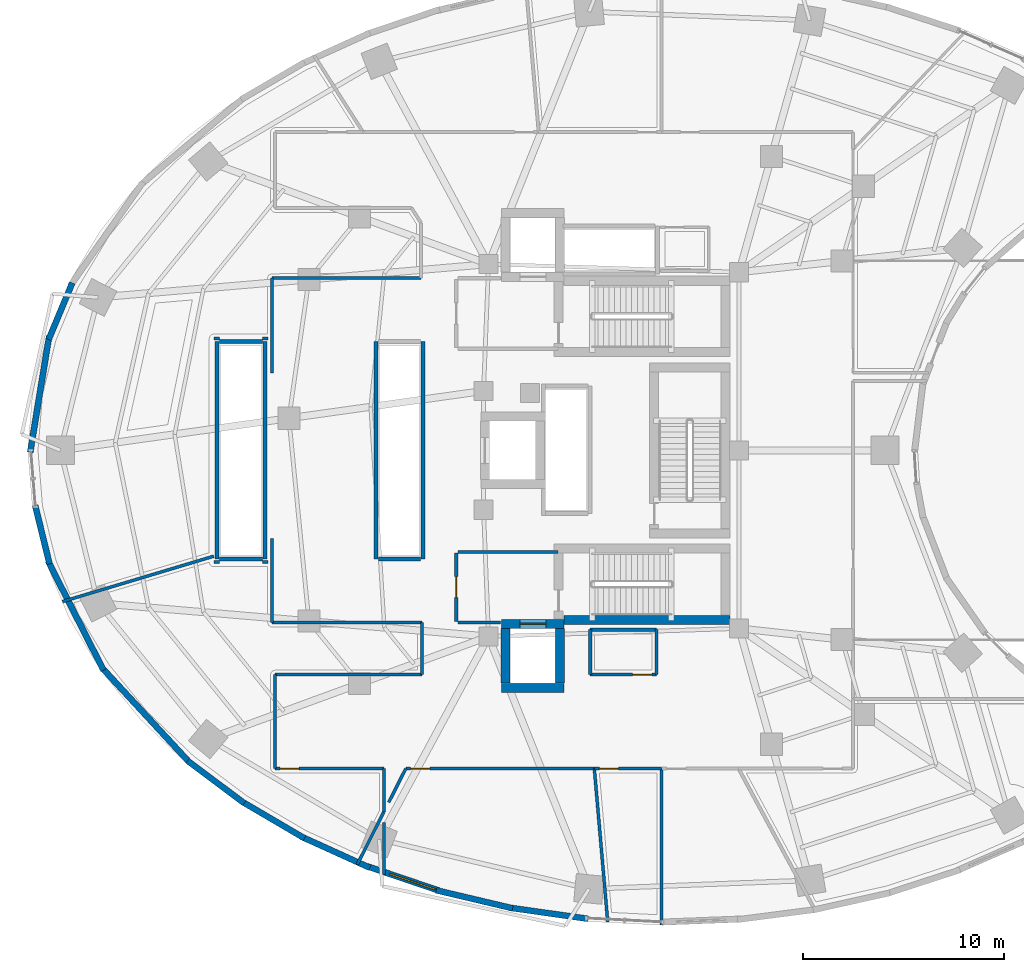
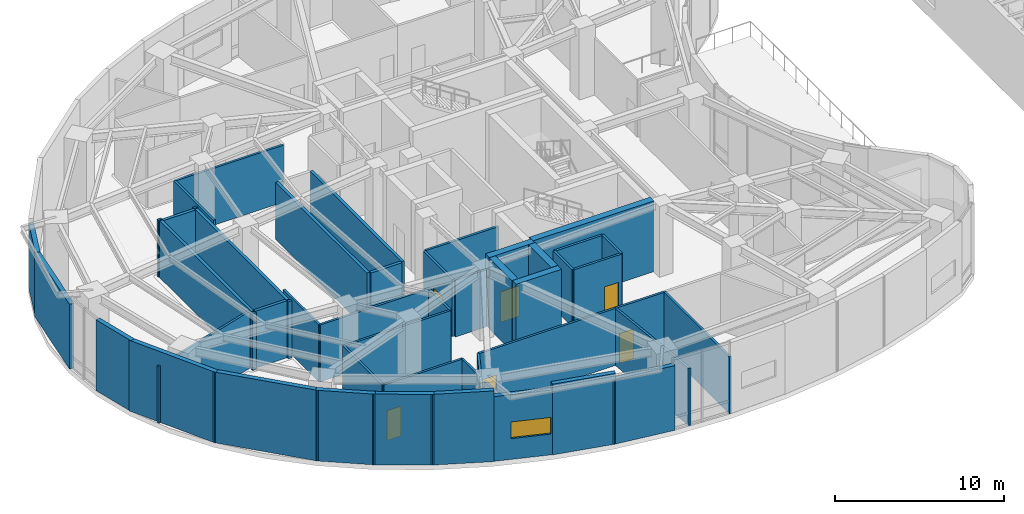
# One storey, part 12 of 19: 51 walls, 6 doors, 1 window, 7 openings.
"""IFC4 building model written with IfcOpenShell, lengths in metres."""

from ifc_helpers import new_model, si_unit, direction, frame, frame_2d, origin, place, context, subcontext, project, spatial, rectangle, extrude, material, layer, layer_set, type_object, element, fill, save


model = new_model("IFC4")

# Units and contexts
model_context = context("Model", 3, precision=1e-05, world=origin(), true_north=direction((0.0, 1.0)))
body_context = subcontext(model_context, "Body", "Model", "MODEL_VIEW")
ifc_project = project(units=[si_unit("LENGTHUNIT", "METRE"), si_unit("AREAUNIT", "SQUARE_METRE"), si_unit("VOLUMEUNIT", "CUBIC_METRE"), si_unit("PLANEANGLEUNIT", "RADIAN"), si_unit("MASSUNIT", "GRAM", prefix="KILO")], contexts=[model_context])

# Site, building, storey
site_placement = place(None, origin())
site = spatial("IfcSite", under=ifc_project, at=site_placement, CompositionType="ELEMENT")
building_placement = place(site_placement, origin())
building = spatial("IfcBuilding", under=site, at=building_placement, Name="Korentha Bioscience Tower", CompositionType="ELEMENT")
storey_placement = place(building_placement, frame((0.0, 0.0, 20.39990234375)))
storey = spatial("IfcBuildingStorey", under=building, at=storey_placement, Name="L04", CompositionType="ELEMENT", Elevation=20.39990234375)

# Wall, opening, door
ifc_material_1 = material(Name="Double-Stud Acoustic Gypsum", Category="gypsum")
ifc_layer_1 = layer(ifc_material_1, 0.14990234375, Name="Double-Stud Acoustic Gypsum")
ifc_layer_set_1 = layer_set([ifc_layer_1], Name="Double-Stud Acoustic Gypsum (IW-L150)")
wall_type_1 = type_object("IfcWallType", Name="Acoustic Laboratory Partition Wall 150", PredefinedType="PARTITIONING", material=ifc_layer_set_1)
wall_1_placement = place(storey_placement, frame((14.5, 11.18994140625, 0.0), z_axis=(0.0, 0.0, 1.0), x_axis=(1.0, 0.0, 0.0)))
wall_1 = element("IfcWall", 1, at=wall_1_placement, inside=storey, type_object=wall_type_1, Name="L04 Bioscience Reference Library 01 Entrance Wall", PredefinedType="PARTITIONING", context=body_context, shape_type="SweptSolid", body=[
    extrude(rectangle(XDim=5.39794921875, YDim=0.14990234375, at=frame_2d((2.698974609375, 0.0))), origin(), (0.0, 0.0, 1.0), 4.110107421875),
])
opening_1_placement = place(wall_1_placement, frame((0.239990234375, 0.0, 0.0)))
opening_1 = element("IfcOpeningElement", 2, at=opening_1_placement, cuts=wall_1, Name="Opening ID-10L", PredefinedType="OPENING", context=body_context, shape_type="SweptSolid", body=[
    extrude(rectangle(XDim=0.949951171875, YDim=2.14990234375, at=frame_2d((0.47509765625, 1.074951171875))), frame((0.0, 0.08984375, 0.0), z_axis=(0.0, -1.0, 0.0), x_axis=(1.0, 0.0, 0.0)), (0.0, 0.0, 1.0), 0.1796875),
])
ifc_material_2 = material(Name="Phenolic Laminate Timber Core", Category="wood")
door_type_1 = type_object("IfcDoorType", Name="Laboratory Single Leaf Door 950x2150 Left", OperationType="SINGLE_SWING_LEFT", PredefinedType="DOOR", material=ifc_material_2)
door_1_placement = place(opening_1_placement, origin())
door_1 = element("IfcDoor", 3, at=door_1_placement, inside=storey, type_object=door_type_1, Name="L04 Bioscience Reference Library 01 Door", OperationType="SINGLE_SWING_LEFT", OverallHeight=2.14990234375, OverallWidth=0.949951171875, PredefinedType="DOOR", context=body_context, shape_type="SweptSolid", body=[
    extrude(rectangle(XDim=0.949951171875, YDim=2.14990234375, at=frame_2d((0.47509765625, 1.074951171875))), frame((0.0, 0.02490234375, 0.0), z_axis=(0.0, -1.0, 0.0), x_axis=(1.0, 0.0, 0.0)), (0.0, 0.0, 1.0), 0.050048828125),
])
fill(opening_1, door_1)

wall_2_placement = place(storey_placement, frame((20.989501953125, 11.18994140625, 0.0), z_axis=(0.0, 0.0, 1.0), x_axis=(1.0, 0.0, 0.0)))
wall_2 = element("IfcWall", 4, at=wall_2_placement, inside=storey, type_object=wall_type_1, Name="L04 Courtyard Terrace Dining Cafe 02 Entrance Wall", PredefinedType="PARTITIONING", context=body_context, shape_type="SweptSolid", body=[
    extrude(rectangle(XDim=9.365234375, YDim=0.14990234375, at=frame_2d((4.6826171875, 0.0))), origin(), (0.0, 0.0, 1.0), 4.110107421875),
])
opening_2_placement = place(wall_2_placement, frame((0.239990234375, 0.0, 0.0)))
opening_2 = element("IfcOpeningElement", 5, at=opening_2_placement, cuts=wall_2, Name="Opening ID-10R", PredefinedType="OPENING", context=body_context, shape_type="SweptSolid", body=[
    extrude(rectangle(XDim=0.949951171875, YDim=2.14990234375, at=frame_2d((0.47509765625, 1.074951171875))), frame((0.0, 0.08984375, 0.0), z_axis=(0.0, -1.0, 0.0), x_axis=(1.0, 0.0, 0.0)), (0.0, 0.0, 1.0), 0.1796875),
])
door_type_2 = type_object("IfcDoorType", Name="Laboratory Single Leaf Door 950x2150 Right", OperationType="SINGLE_SWING_RIGHT", PredefinedType="DOOR", material=ifc_material_2)
door_2_placement = place(opening_2_placement, origin())
door_2 = element("IfcDoor", 6, at=door_2_placement, inside=storey, type_object=door_type_2, Name="L04 Courtyard Terrace Dining Cafe 02 Door", OperationType="SINGLE_SWING_RIGHT", OverallHeight=2.14990234375, OverallWidth=0.949951171875, PredefinedType="DOOR", context=body_context, shape_type="SweptSolid", body=[
    extrude(rectangle(XDim=0.949951171875, YDim=2.14990234375, at=frame_2d((0.47509765625, 1.074951171875))), frame((0.0, 0.02490234375, 0.0), z_axis=(0.0, -1.0, 0.0), x_axis=(1.0, 0.0, 0.0)), (0.0, 0.0, 1.0), 0.050048828125),
])
fill(opening_2, door_2)

wall_3_placement = place(storey_placement, frame((30.36474609375, 11.18994140625, 0.0), z_axis=(0.0, 0.0, 1.0), x_axis=(1.0, 0.0, 0.0)))
wall_3 = element("IfcWall", 7, at=wall_3_placement, inside=storey, type_object=wall_type_1, Name="L04 Catering Warming Kitchen 03 Entrance Wall", PredefinedType="PARTITIONING", context=body_context, shape_type="SweptSolid", body=[
    extrude(rectangle(XDim=3.333251953125, YDim=0.14990234375, at=frame_2d((1.66650390625, 0.0))), origin(), (0.0, 0.0, 1.0), 4.110107421875),
])
opening_3_placement = place(wall_3_placement, frame((0.239990234375, 0.0, 0.0)))
opening_3 = element("IfcOpeningElement", 8, at=opening_3_placement, cuts=wall_3, Name="Opening ID-10L", PredefinedType="OPENING", context=body_context, shape_type="SweptSolid", body=[
    extrude(rectangle(XDim=0.949951171875, YDim=2.14990234375, at=frame_2d((0.47509765625, 1.074951171875))), frame((0.0, 0.08984375, 0.0), z_axis=(0.0, -1.0, 0.0), x_axis=(1.0, 0.0, 0.0)), (0.0, 0.0, 1.0), 0.1796875),
])
door_3_placement = place(opening_3_placement, origin())
door_3 = element("IfcDoor", 9, at=door_3_placement, inside=storey, type_object=door_type_1, Name="L04 Catering Warming Kitchen 03 Door", OperationType="SINGLE_SWING_LEFT", OverallHeight=2.14990234375, OverallWidth=0.949951171875, PredefinedType="DOOR", context=body_context, shape_type="SweptSolid", body=[
    extrude(rectangle(XDim=0.949951171875, YDim=2.14990234375, at=frame_2d((0.47509765625, 1.074951171875))), frame((0.0, 0.02490234375, 0.0), z_axis=(0.0, -1.0, 0.0), x_axis=(1.0, 0.0, 0.0)), (0.0, 0.0, 1.0), 0.050048828125),
])
fill(opening_3, door_3)

# Walls
wall_4_placement = place(storey_placement, frame((3.9296875, 19.484375, 0.0), z_axis=(0.0, 0.0, 1.0), x_axis=(0.957822857275, 0.287359311806, 0.0)))
element("IfcWall", 10, at=wall_4_placement, inside=storey, type_object=wall_type_1, Name="L04 Interior Partition 024", PredefinedType="PARTITIONING", context=body_context, shape_type="SweptSolid", body=[
    extrude(rectangle(XDim=7.841064453125, YDim=0.14990234375, at=frame_2d((3.92041015625, 0.0))), origin(), (0.0, 0.0, 1.0), 4.110107421875),
])
for number, where, z_axis, x_axis, name in (
    (11, (11.449951171875, 21.43994140625, 0.0), (0.0, 0.0, 1.0), (1.0, 0.0, 0.0), "L04 Interior Partition 025"),
    (12, (13.8798828125, 21.43994140625, 0.0), (0.0, 0.0, 1.0), (1.0, 0.0, 0.0), "L04 Interior Partition 026"),
):
    element("IfcWall", number, at=place(storey_placement, frame(where, z_axis=z_axis, x_axis=x_axis)), inside=storey, type_object=wall_type_1, Name=name, PredefinedType="PARTITIONING", context=body_context, shape_type="SweptSolid", body=[
        extrude(rectangle(XDim=0.27001953125, YDim=0.14990234375, at=frame_2d((0.135009765625, 0.0))), origin(), (0.0, 0.0, 1.0), 4.110107421875),
    ])
wall_5_placement = place(storey_placement, frame((14.340087890625, 22.607666015625, 0.0), z_axis=(0.0, 0.0, 1.0), x_axis=(0.0, -1.0, 0.0)))
element("IfcWall", 13, at=wall_5_placement, inside=storey, type_object=wall_type_1, Name="L04 Interior Partition 027", PredefinedType="PARTITIONING", context=body_context, shape_type="SweptSolid", body=[
    extrude(rectangle(XDim=4.15771484375, YDim=0.14990234375, at=frame_2d((2.078857421875, 0.0))), origin(), (0.0, 0.0, 1.0), 4.110107421875),
])
wall_6_placement = place(storey_placement, frame((14.35009765625, 18.43994140625, 0.0), z_axis=(0.0, 0.0, 1.0), x_axis=(1.0, 0.0, 0.0)))
element("IfcWall", 14, at=wall_6_placement, inside=storey, type_object=wall_type_1, Name="L04 Interior Partition 028", PredefinedType="PARTITIONING", context=body_context, shape_type="SweptSolid", body=[
    extrude(rectangle(XDim=7.43994140625, YDim=0.14990234375, at=frame_2d((3.719970703125, 0.0))), origin(), (0.0, 0.0, 1.0), 4.110107421875),
])
wall_7_placement = place(storey_placement, frame((21.7900390625, 18.43994140625, 0.0), z_axis=(0.0, 0.0, 1.0), x_axis=(0.0, -1.0, 0.0)))
element("IfcWall", 15, at=wall_7_placement, inside=storey, type_object=wall_type_1, Name="L04 Interior Partition 029", PredefinedType="PARTITIONING", context=body_context, shape_type="SweptSolid", body=[
    extrude(rectangle(XDim=2.579833984375, YDim=0.14990234375, at=frame_2d((1.2900390625, 0.0))), origin(), (0.0, 0.0, 1.0), 4.110107421875),
])
wall_8_placement = place(storey_placement, frame((21.7900390625, 15.860107421875, 0.0), z_axis=(0.0, 0.0, 1.0), x_axis=(-1.0, 0.0, 0.0)))
element("IfcWall", 16, at=wall_8_placement, inside=storey, type_object=wall_type_1, Name="L04 Interior Partition 030", PredefinedType="PARTITIONING", context=body_context, shape_type="SweptSolid", body=[
    extrude(rectangle(XDim=7.2900390625, YDim=0.14990234375, at=frame_2d((3.64501953125, 0.0))), origin(), (0.0, 0.0, 1.0), 4.110107421875),
])
wall_9_placement = place(storey_placement, frame((14.489990234375, 15.85009765625, 0.0), z_axis=(0.0, 0.0, 1.0), x_axis=(0.0, -1.0, 0.0)))
element("IfcWall", 17, at=wall_9_placement, inside=storey, type_object=wall_type_1, Name="L04 Interior Partition 031", PredefinedType="PARTITIONING", context=body_context, shape_type="SweptSolid", body=[
    extrude(rectangle(XDim=4.650146484375, YDim=0.14990234375, at=frame_2d((2.3251953125, 0.0))), origin(), (0.0, 0.0, 1.0), 4.110107421875),
])
wall_10_placement = place(storey_placement, frame((19.89794921875, 11.18994140625, 0.0), z_axis=(0.0, 0.0, 1.0), x_axis=(0.0, -1.0, 0.0)))
element("IfcWall", 18, at=wall_10_placement, inside=storey, type_object=wall_type_1, Name="L04 Interior Partition 032", PredefinedType="PARTITIONING", context=body_context, shape_type="SweptSolid", body=[
    extrude(rectangle(XDim=2.152099609375, YDim=0.14990234375, at=frame_2d((1.076171875, 0.0))), origin(), (0.0, 0.0, 1.0), 4.110107421875),
])
wall_11_placement = place(storey_placement, frame((19.89794921875, 9.03759765625, 0.0), z_axis=(0.0, 0.0, 1.0), x_axis=(-0.450893955495, -0.892577526548, 0.0)))
element("IfcWall", 19, at=wall_11_placement, inside=storey, type_object=wall_type_1, Name="L04 Interior Partition 033", PredefinedType="PARTITIONING", context=body_context, shape_type="SweptSolid", body=[
    extrude(rectangle(XDim=2.9423828125, YDim=0.14990234375, at=frame_2d((1.47119140625, 0.0))), origin(), (0.0, 0.0, 1.0), 4.110107421875),
])
wall_12_placement = place(storey_placement, frame((19.902099609375, 5.916748046875, 0.0), z_axis=(0.0, 0.0, 1.0), x_axis=(0.0, 1.0, 0.0)))
element("IfcWall", 20, at=wall_12_placement, inside=storey, type_object=wall_type_1, Name="L04 Interior Partition 034", PredefinedType="PARTITIONING", context=body_context, shape_type="SweptSolid", body=[
    extrude(rectangle(XDim=2.5966796875, YDim=0.14990234375, at=frame_2d((1.29833984375, 0.0))), origin(), (0.0, 0.0, 1.0), 4.110107421875),
])
wall_13_placement = place(storey_placement, frame((20.137939453125, 9.50390625, 0.0), z_axis=(0.0, 0.0, 1.0), x_axis=(0.45082897457, 0.892610349306, 0.0)))
element("IfcWall", 21, at=wall_13_placement, inside=storey, type_object=wall_type_1, Name="L04 Interior Partition 035", PredefinedType="PARTITIONING", context=body_context, shape_type="SweptSolid", body=[
    extrude(rectangle(XDim=1.888916015625, YDim=0.14990234375, at=frame_2d((0.9443359375, 0.0))), origin(), (0.0, 0.0, 1.0), 4.110107421875),
])
wall_14_placement = place(storey_placement, frame((30.354736328125, 11.18994140625, 0.0), z_axis=(0.0, 0.0, 1.0), x_axis=(0.087160622673, -0.996194271142, 0.0)))
element("IfcWall", 22, at=wall_14_placement, inside=storey, type_object=wall_type_1, Name="L04 Interior Partition 036", PredefinedType="PARTITIONING", context=body_context, shape_type="SweptSolid", body=[
    extrude(rectangle(XDim=7.657958984375, YDim=0.14990234375, at=frame_2d((3.8291015625, 0.0))), origin(), (0.0, 0.0, 1.0), 4.110107421875),
])
wall_15_placement = place(storey_placement, frame((33.697998046875, 11.18994140625, 0.0), z_axis=(0.0, 0.0, 1.0), x_axis=(0.0, -1.0, 0.0)))
element("IfcWall", 23, at=wall_15_placement, inside=storey, type_object=wall_type_1, Name="L04 Interior Partition 037", PredefinedType="PARTITIONING", context=body_context, shape_type="SweptSolid", body=[
    extrude(rectangle(XDim=7.76611328125, YDim=0.14990234375, at=frame_2d((3.883056640625, 0.0))), origin(), (0.0, 0.0, 1.0), 4.110107421875),
])
wall_16_placement = place(storey_placement, frame((21.739990234375, 35.56005859375, 0.0), z_axis=(0.0, 0.0, 1.0), x_axis=(-1.0, 0.0, 0.0)))
element("IfcWall", 24, at=wall_16_placement, inside=storey, type_object=wall_type_1, Name="L04 Interior Partition 053", PredefinedType="PARTITIONING", context=body_context, shape_type="SweptSolid", body=[
    extrude(rectangle(XDim=7.389892578125, YDim=0.14990234375, at=frame_2d((3.69482421875, 0.0))), origin(), (0.0, 0.0, 1.0), 4.110107421875),
])
wall_17_placement = place(storey_placement, frame((14.340087890625, 35.550048828125, 0.0), z_axis=(0.0, 0.0, 1.0), x_axis=(0.0, -1.0, 0.0)))
element("IfcWall", 25, at=wall_17_placement, inside=storey, type_object=wall_type_1, Name="L04 Interior Partition 054", PredefinedType="PARTITIONING", context=body_context, shape_type="SweptSolid", body=[
    extrude(rectangle(XDim=4.697998046875, YDim=0.14990234375, at=frame_2d((2.34912109375, 0.0))), origin(), (0.0, 0.0, 1.0), 4.110107421875),
])
for number, where, z_axis, x_axis, name in (
    (26, (14.14990234375, 32.56005859375, 0.0), (0.0, 0.0, 1.0), (-1.0, 0.0, 0.0), "L04 Interior Partition 055"),
    (27, (11.719970703125, 32.56005859375, 0.0), (0.0, 0.0, 1.0), (-1.0, 0.0, 0.0), "L04 Interior Partition 056"),
):
    element("IfcWall", number, at=place(storey_placement, frame(where, z_axis=z_axis, x_axis=x_axis)), inside=storey, type_object=wall_type_1, Name=name, PredefinedType="PARTITIONING", context=body_context, shape_type="SweptSolid", body=[
        extrude(rectangle(XDim=0.27001953125, YDim=0.14990234375, at=frame_2d((0.135009765625, 0.0))), origin(), (0.0, 0.0, 1.0), 4.110107421875),
    ])

# Wall, opening, door
ifc_material_3 = material(Name="Gypsum-Clad Steel Stud", Category="steel")
ifc_layer_2 = layer(ifc_material_3, 0.159912109375, Name="Gypsum-Clad Steel Stud")
ifc_layer_set_2 = layer_set([ifc_layer_2], Name="Gypsum-Clad Steel Stud (IW-C160)")
wall_type_2 = type_object("IfcWallType", Name="Fire-Rated Corridor Partition Wall 160", PredefinedType="PARTITIONING", material=ifc_layer_set_2)
wall_18_placement = place(storey_placement, frame((23.5, 18.5, 0.0), z_axis=(0.0, 0.0, 1.0), x_axis=(0.0, 1.0, 0.0)))
wall_18 = element("IfcWall", 28, at=wall_18_placement, inside=storey, type_object=wall_type_2, Name="L04 FFLS-CW Rated Enclosure Wall", PredefinedType="PARTITIONING", context=body_context, shape_type="SweptSolid", body=[
    extrude(rectangle(XDim=3.39990234375, YDim=0.159912109375, at=frame_2d((1.699951171875, 0.0))), origin(), (0.0, 0.0, 1.0), 4.110107421875),
])
opening_4_placement = place(wall_18_placement, frame((1.175048828125, 0.0, 0.0)))
opening_4 = element("IfcOpeningElement", 29, at=opening_4_placement, cuts=wall_18, Name="Opening FD-90L", PredefinedType="OPENING", context=body_context, shape_type="SweptSolid", body=[
    extrude(rectangle(XDim=1.050048828125, YDim=2.14990234375, at=frame_2d((0.52490234375, 1.074951171875))), frame((0.0, 0.0947265625, 0.0), z_axis=(0.0, -1.0, 0.0), x_axis=(1.0, 0.0, 0.0)), (0.0, 0.0, 1.0), 0.189697265625),
])
ifc_material_4 = material(Name="Powder-Coated Fire-Rated Steel", Category="steel")
door_type_3 = type_object("IfcDoorType", Name="Stairwell Fire Exit Door 1050x2150 Left", OperationType="SINGLE_SWING_LEFT", PredefinedType="DOOR", material=ifc_material_4)
door_4_placement = place(opening_4_placement, origin())
door_4 = element("IfcDoor", 30, at=door_4_placement, inside=storey, type_object=door_type_3, Name="L04 South Firefighting Lobby Door", OperationType="SINGLE_SWING_LEFT", OverallHeight=2.14990234375, OverallWidth=1.050048828125, PredefinedType="DOOR", context=body_context, shape_type="SweptSolid", body=[
    extrude(rectangle(XDim=1.050048828125, YDim=2.14990234375, at=frame_2d((0.52490234375, 1.074951171875))), frame((0.0, 0.02490234375, 0.0), z_axis=(0.0, -1.0, 0.0), x_axis=(1.0, 0.0, 0.0)), (0.0, 0.0, 1.0), 0.050048828125),
])
fill(opening_4, door_4)

# Walls
wall_19_placement = place(storey_placement, frame((23.580078125, 21.949951171875, 0.0), z_axis=(0.0, 0.0, 1.0), x_axis=(1.0, 0.0, 0.0)))
element("IfcWall", 31, at=wall_19_placement, inside=storey, type_object=wall_type_2, Name="L04 Firefighting Lobby Return Wall FFLS-N", PredefinedType="PARTITIONING", context=body_context, shape_type="SweptSolid", body=[
    extrude(rectangle(XDim=4.969970703125, YDim=0.159912109375, at=frame_2d((2.48486328125, 0.0))), origin(), (0.0, 0.0, 1.0), 4.110107421875),
])
wall_20_placement = place(storey_placement, frame((23.580078125, 18.449951171875, 0.0), z_axis=(0.0, 0.0, 1.0), x_axis=(1.0, 0.0, 0.0)))
element("IfcWall", 32, at=wall_20_placement, inside=storey, type_object=wall_type_2, Name="L04 Firefighting Lobby Return Wall FFLS-S", PredefinedType="PARTITIONING", context=body_context, shape_type="SweptSolid", body=[
    extrude(rectangle(XDim=2.119873046875, YDim=0.159912109375, at=frame_2d((1.06005859375, 0.0))), origin(), (0.0, 0.0, 1.0), 4.110107421875),
])

# Wall, opening, door
wall_21_placement = place(storey_placement, frame((33.449951171875, 15.860107421875, 0.0), z_axis=(0.0, 0.0, 1.0), x_axis=(-1.0, 0.0, 0.0)))
wall_21 = element("IfcWall", 33, at=wall_21_placement, inside=storey, type_object=wall_type_2, Name="L04 Core Instrumentation and Gas Store Entrance Wall", PredefinedType="PARTITIONING", context=body_context, shape_type="SweptSolid", body=[
    extrude(rectangle(XDim=3.300048828125, YDim=0.159912109375, at=frame_2d((1.64990234375, 0.0))), origin(), (0.0, 0.0, 1.0), 4.110107421875),
])
opening_5_placement = place(wall_21_placement, frame((0.239990234375, 0.0, 0.0)))
opening_5 = element("IfcOpeningElement", 34, at=opening_5_placement, cuts=wall_21, Name="Opening ID-10L", PredefinedType="OPENING", context=body_context, shape_type="SweptSolid", body=[
    extrude(rectangle(XDim=0.949951171875, YDim=2.14990234375, at=frame_2d((0.47509765625, 1.074951171875))), frame((0.0, 0.0947265625, 0.0), z_axis=(0.0, -1.0, 0.0), x_axis=(1.0, 0.0, 0.0)), (0.0, 0.0, 1.0), 0.189697265625),
])
door_5_placement = place(opening_5_placement, origin())
door_5 = element("IfcDoor", 35, at=door_5_placement, inside=storey, type_object=door_type_1, Name="L04 Core Instrumentation and Gas Store Door", OperationType="SINGLE_SWING_LEFT", OverallHeight=2.14990234375, OverallWidth=0.949951171875, PredefinedType="DOOR", context=body_context, shape_type="SweptSolid", body=[
    extrude(rectangle(XDim=0.949951171875, YDim=2.14990234375, at=frame_2d((0.47509765625, 1.074951171875))), frame((0.0, 0.02490234375, 0.0), z_axis=(0.0, -1.0, 0.0), x_axis=(1.0, 0.0, 0.0)), (0.0, 0.0, 1.0), 0.050048828125),
])
fill(opening_5, door_5)

# Walls
wall_22_placement = place(storey_placement, frame((30.14990234375, 15.860107421875, 0.0), z_axis=(0.0, 0.0, 1.0), x_axis=(0.0, 1.0, 0.0)))
element("IfcWall", 36, at=wall_22_placement, inside=storey, type_object=wall_type_2, Name="L04 Interior Partition 019", PredefinedType="PARTITIONING", context=body_context, shape_type="SweptSolid", body=[
    extrude(rectangle(XDim=2.22998046875, YDim=0.159912109375, at=frame_2d((1.114990234375, 0.0))), origin(), (0.0, 0.0, 1.0), 4.110107421875),
])
wall_23_placement = place(storey_placement, frame((30.14990234375, 18.090087890625, 0.0), z_axis=(0.0, 0.0, 1.0), x_axis=(1.0, 0.0, 0.0)))
element("IfcWall", 37, at=wall_23_placement, inside=storey, type_object=wall_type_2, Name="L04 Interior Partition 020", PredefinedType="PARTITIONING", context=body_context, shape_type="SweptSolid", body=[
    extrude(rectangle(XDim=3.300048828125, YDim=0.159912109375, at=frame_2d((1.64990234375, 0.0))), origin(), (0.0, 0.0, 1.0), 4.110107421875),
])
wall_24_placement = place(storey_placement, frame((33.449951171875, 18.090087890625, 0.0), z_axis=(0.0, 0.0, 1.0), x_axis=(0.0, -1.0, 0.0)))
element("IfcWall", 38, at=wall_24_placement, inside=storey, type_object=wall_type_2, Name="L04 Interior Partition 021", PredefinedType="PARTITIONING", context=body_context, shape_type="SweptSolid", body=[
    extrude(rectangle(XDim=2.22998046875, YDim=0.159912109375, at=frame_2d((1.114990234375, 0.0))), origin(), (0.0, 0.0, 1.0), 4.110107421875),
])
ifc_material_5 = material(Name="Honed Limestone Precast Concrete C40", Category="masonry")
ifc_layer_3 = layer(ifc_material_5, 0.300048828125, Name="Honed Limestone Precast Concrete C40")
ifc_layer_set_3 = layer_set([ifc_layer_3], Name="Honed Limestone Precast Concrete C40 (EW-ST300)")
wall_type_3 = type_object("IfcWallType", Name="Honed Limestone Cavity Spandrel Wall 300", PredefinedType="STANDARD", material=ifc_layer_set_3)
wall_25_placement = place(storey_placement, frame((4.4169921875, 35.322998046875, 0.0), z_axis=(0.0, 0.0, 1.0), x_axis=(-0.385358473275, -0.92276695166, 0.0)))
element("IfcWall", 39, at=wall_25_placement, inside=storey, type_object=wall_type_3, Name="L04 Honed Limestone Spandrel Wall 16", PredefinedType="STANDARD", context=body_context, shape_type="SweptSolid", body=[
    extrude(rectangle(XDim=3.0556640625, YDim=0.300048828125, at=frame_2d((1.52783203125, 0.0))), origin(), (0.0, 0.0, 1.0), 4.670166015625),
])
wall_26_placement = place(storey_placement, frame((2.57080078125, 24.265869140625, 0.0), z_axis=(0.0, 0.0, 1.0), x_axis=(0.238522035896, -0.971137085273, 0.0)))
element("IfcWall", 40, at=wall_26_placement, inside=storey, type_object=wall_type_3, Name="L04 Honed Limestone Spandrel Wall 20", PredefinedType="STANDARD", context=body_context, shape_type="SweptSolid", body=[
    extrude(rectangle(XDim=2.992919921875, YDim=0.300048828125, at=frame_2d((1.49658203125, 0.0))), origin(), (0.0, 0.0, 1.0), 5.10009765625),
])

# Wall, opening, window
wall_27_placement = place(storey_placement, frame((19.0654296875, 6.333251953125, 0.0), z_axis=(0.0, 0.0, 1.0), x_axis=(0.947034337234, -0.321132315564, 0.0)))
wall_27 = element("IfcWall", 41, at=wall_27_placement, inside=storey, type_object=wall_type_3, Name="L04 Honed Limestone Spandrel Wall 28", PredefinedType="STANDARD", context=body_context, shape_type="SweptSolid", body=[
    extrude(rectangle(XDim=3.789794921875, YDim=0.300048828125, at=frame_2d((1.89501953125, 0.0))), origin(), (0.0, 0.0, 1.0), 4.670166015625),
])
opening_6_placement = place(wall_27_placement, frame((1.166259765625, 0.0, 1.5)))
opening_6 = element("IfcOpeningElement", 42, at=opening_6_placement, cuts=wall_27, Name="Opening WN-04", PredefinedType="OPENING", context=body_context, shape_type="SweptSolid", body=[
    extrude(rectangle(XDim=2.39990234375, YDim=1.199951171875, at=frame_2d((1.199951171875, 0.60009765625))), frame((0.0, 0.1650390625, 0.0), z_axis=(0.0, -1.0, 0.0), x_axis=(1.0, 0.0, 0.0)), (0.0, 0.0, 1.0), 0.329833984375),
])
ifc_material_6 = material(Name="Thermally Broken Aluminium Triple Glazing", Category="aluminium")
window_type = type_object("IfcWindowType", Name="Podium Clerestory Ribbon Window 2400x1200", PartitioningType="DOUBLE_PANEL_HORIZONTAL", PredefinedType="WINDOW", material=ifc_material_6)
window_placement = place(opening_6_placement, origin())
window = element("IfcWindow", 43, at=window_placement, inside=storey, type_object=window_type, Name="L04 Facade Window 28", OverallHeight=1.199951171875, OverallWidth=2.39990234375, PartitioningType="DOUBLE_PANEL_HORIZONTAL", PredefinedType="WINDOW", context=body_context, shape_type="SweptSolid", body=[
    extrude(rectangle(XDim=2.39990234375, YDim=1.199951171875, at=frame_2d((1.199951171875, 0.60009765625))), frame((0.0, 0.030029296875, 0.0), z_axis=(0.0, -1.0, 0.0), x_axis=(1.0, 0.0, 0.0)), (0.0, 0.0, 1.0), 0.06005859375),
])
fill(opening_6, window)

# Walls
wall_28_placement = place(storey_placement, frame((3.26611328125, 32.677001953125, 0.0), z_axis=(0.0, 0.0, 1.0), x_axis=(-0.160712446639, -0.987001271273, 0.0)))
element("IfcWall", 44, at=wall_28_placement, inside=storey, type_object=wall_type_3, Name="L04 Limestone Perimeter Closure Wall 17", PredefinedType="STANDARD", context=body_context, shape_type="SweptSolid", body=[
    extrude(rectangle(XDim=5.854736328125, YDim=0.300048828125, at=frame_2d((2.92724609375, 0.0))), origin(), (0.0, 0.0, 1.0), 4.670166015625),
])
wall_29_placement = place(storey_placement, frame((3.20361328125, 21.514404296875, 0.0), z_axis=(0.0, 0.0, 1.0), x_axis=(0.453093111502, -0.891463197395, 0.0)))
element("IfcWall", 45, at=wall_29_placement, inside=storey, type_object=wall_type_3, Name="L04 Limestone Perimeter Closure Wall 21", PredefinedType="STANDARD", context=body_context, shape_type="SweptSolid", body=[
    extrude(rectangle(XDim=6.102294921875, YDim=0.300048828125, at=frame_2d((3.05126953125, 0.0))), origin(), (0.0, 0.0, 1.0), 5.10009765625),
])
wall_30_placement = place(storey_placement, frame((5.855712890625, 16.236083984375, 0.0), z_axis=(0.0, 0.0, 1.0), x_axis=(0.678724966684, -0.734392551433, 0.0)))
element("IfcWall", 46, at=wall_30_placement, inside=storey, type_object=wall_type_3, Name="L04 Limestone Perimeter Closure Wall 23", PredefinedType="STANDARD", context=body_context, shape_type="SweptSolid", body=[
    extrude(rectangle(XDim=6.51708984375, YDim=0.300048828125, at=frame_2d((3.258544921875, 0.0))), origin(), (0.0, 0.0, 1.0), 5.10009765625),
])
wall_31_placement = place(storey_placement, frame((10.141845703125, 11.573486328125, 0.0), z_axis=(0.0, 0.0, 1.0), x_axis=(0.800823020995, -0.598901067827, 0.0)))
element("IfcWall", 47, at=wall_31_placement, inside=storey, type_object=wall_type_3, Name="L04 Limestone Perimeter Closure Wall 25", PredefinedType="STANDARD", context=body_context, shape_type="SweptSolid", body=[
    extrude(rectangle(XDim=3.520751953125, YDim=0.300048828125, at=frame_2d((1.76025390625, 0.0))), origin(), (0.0, 0.0, 1.0), 5.10009765625),
])
wall_32_placement = place(storey_placement, frame((12.8154296875, 9.56201171875, 0.0), z_axis=(0.0, 0.0, 1.0), x_axis=(0.8624654944, -0.506115867139, 0.0)))
element("IfcWall", 48, at=wall_32_placement, inside=storey, type_object=wall_type_3, Name="L04 Limestone Perimeter Closure Wall 26", PredefinedType="STANDARD", context=body_context, shape_type="SweptSolid", body=[
    extrude(rectangle(XDim=3.63525390625, YDim=0.300048828125, at=frame_2d((1.817626953125, 0.0))), origin(), (0.0, 0.0, 1.0), 5.10009765625),
])
wall_33_placement = place(storey_placement, frame((15.7958984375, 7.80224609375, 0.0), z_axis=(0.0, 0.0, 1.0), x_axis=(0.910623406862, -0.413237233166, 0.0)))
element("IfcWall", 49, at=wall_33_placement, inside=storey, type_object=wall_type_3, Name="L04 Limestone Perimeter Closure Wall 27", PredefinedType="STANDARD", context=body_context, shape_type="SweptSolid", body=[
    extrude(rectangle(XDim=3.73974609375, YDim=0.300048828125, at=frame_2d((1.869873046875, 0.0))), origin(), (0.0, 0.0, 1.0), 5.10009765625),
])
wall_34_placement = place(storey_placement, frame((22.50048828125, 5.138427734375, 0.0), z_axis=(0.0, 0.0, 1.0), x_axis=(0.973197600754, -0.229970497863, 0.0)))
element("IfcWall", 50, at=wall_34_placement, inside=storey, type_object=wall_type_3, Name="L04 Limestone Perimeter Closure Wall 29", PredefinedType="STANDARD", context=body_context, shape_type="SweptSolid", body=[
    extrude(rectangle(XDim=3.9013671875, YDim=0.300048828125, at=frame_2d((1.95068359375, 0.0))), origin(), (0.0, 0.0, 1.0), 5.10009765625),
])
wall_35_placement = place(storey_placement, frame((26.127685546875, 4.273193359375, 0.0), z_axis=(0.0, 0.0, 1.0), x_axis=(0.990165832998, -0.139898617443, 0.0)))
element("IfcWall", 51, at=wall_35_placement, inside=storey, type_object=wall_type_3, Name="L04 Limestone Perimeter Closure Wall 30", PredefinedType="STANDARD", context=body_context, shape_type="SweptSolid", body=[
    extrude(rectangle(XDim=3.950927734375, YDim=0.300048828125, at=frame_2d((1.9755859375, 0.0))), origin(), (0.0, 0.0, 1.0), 4.670166015625),
])
ifc_material_7 = material(Name="Autoclaved Aerated Concrete Block C25", Category="concrete")
ifc_layer_4 = layer(ifc_material_7, 0.199951171875, Name="Autoclaved Aerated Concrete Block C25")
ifc_layer_set_4 = layer_set([ifc_layer_4], Name="Autoclaved Aerated Concrete Block C25 (IW-S200)")
wall_type_4 = type_object("IfcWallType", Name="Lift and Riser Shaft Enclosure Wall 200", PredefinedType="PARTITIONING", material=ifc_layer_set_4)
for number, where, z_axis, x_axis, name in (
    (52, (11.60009765625, 21.60009765625, 0.0), (0.0, 0.0, 1.0), (0.0, 1.0, 0.0), "L04 Lift Bank LOW Shaft Wall -X"),
    (53, (14.0, 21.60009765625, 0.0), (0.0, 0.0, 1.0), (0.0, 1.0, 0.0), "L04 Lift Bank LOW Shaft Wall +X"),
):
    element("IfcWall", number, at=place(storey_placement, frame(where, z_axis=z_axis, x_axis=x_axis)), inside=storey, type_object=wall_type_4, Name=name, PredefinedType="PARTITIONING", context=body_context, shape_type="SweptSolid", body=[
        extrude(rectangle(XDim=10.7998046875, YDim=0.199951171875, at=frame_2d((5.39990234375, 0.0))), origin(), (0.0, 0.0, 1.0), 4.110107421875),
    ])
for number, where, z_axis, x_axis, name in (
    (54, (11.719970703125, 21.60009765625, 0.0), (0.0, 0.0, 1.0), (1.0, 0.0, 0.0), "L04 Lift Bank LOW Shaft Wall -Y"),
    (55, (11.719970703125, 32.39990234375, 0.0), (0.0, 0.0, 1.0), (1.0, 0.0, 0.0), "L04 Lift Bank LOW Shaft Wall +Y"),
):
    element("IfcWall", number, at=place(storey_placement, frame(where, z_axis=z_axis, x_axis=x_axis)), inside=storey, type_object=wall_type_4, Name=name, PredefinedType="PARTITIONING", context=body_context, shape_type="SweptSolid", body=[
        extrude(rectangle(XDim=2.159912109375, YDim=0.199951171875, at=frame_2d((1.080078125, 0.0))), origin(), (0.0, 0.0, 1.0), 4.110107421875),
    ])
for number, where, z_axis, x_axis, name in (
    (56, (19.5, 21.60009765625, 0.0), (0.0, 0.0, 1.0), (0.0, 1.0, 0.0), "L04 Lift Bank MID Shaft Wall -X"),
    (57, (21.85009765625, 21.60009765625, 0.0), (0.0, 0.0, 1.0), (0.0, 1.0, 0.0), "L04 Lift Bank MID Shaft Wall +X"),
):
    element("IfcWall", number, at=place(storey_placement, frame(where, z_axis=z_axis, x_axis=x_axis)), inside=storey, type_object=wall_type_4, Name=name, PredefinedType="PARTITIONING", context=body_context, shape_type="SweptSolid", body=[
        extrude(rectangle(XDim=10.7998046875, YDim=0.199951171875, at=frame_2d((5.39990234375, 0.0))), origin(), (0.0, 0.0, 1.0), 4.110107421875),
    ])
wall_36_placement = place(storey_placement, frame((19.6201171875, 21.60009765625, 0.0), z_axis=(0.0, 0.0, 1.0), x_axis=(1.0, 0.0, 0.0)))
element("IfcWall", 58, at=wall_36_placement, inside=storey, type_object=wall_type_4, Name="L04 Lift Bank MID Shaft Wall -Y", PredefinedType="PARTITIONING", context=body_context, shape_type="SweptSolid", body=[
    extrude(rectangle(XDim=2.10986328125, YDim=0.199951171875, at=frame_2d((1.054931640625, 0.0))), origin(), (0.0, 0.0, 1.0), 4.110107421875),
])
ifc_material_8 = material(Name="Concrete C80", Category="concrete")
ifc_layer_5 = layer(ifc_material_8, 0.449951171875, Name="Concrete C80")
ifc_layer_set_5 = layer_set([ifc_layer_5], Name="Concrete C80 (CW-C80)")
wall_type_5 = type_object("IfcWallType", Name="Lower Core Shear Wall 450", PredefinedType="SHEAR", material=ifc_layer_set_5)
wall_37_placement = place(storey_placement, frame((28.85205078125, 18.574951171875, 0.0), z_axis=(0.0, 0.0, 1.0), x_axis=(1.0, 0.0, 0.0)))
element("IfcWall", 59, at=wall_37_placement, inside=storey, type_object=wall_type_5, Name="L04 Core Shear Wall ST2-S", PredefinedType="SHEAR", context=body_context, shape_type="SweptSolid", body=[
    extrude(rectangle(XDim=8.248046875, YDim=0.449951171875, at=frame_2d((4.1240234375, 0.0))), origin(), (0.0, 0.0, 1.0), 5.10009765625),
])
wall_38_placement = place(storey_placement, frame((25.75, 15.199951171875, 0.0), z_axis=(0.0, 0.0, 1.0), x_axis=(1.0, 0.0, 0.0)))
element("IfcWall", 60, at=wall_38_placement, inside=storey, type_object=wall_type_5, Name="L04 Core Shear Wall FFL1-S", PredefinedType="SHEAR", context=body_context, shape_type="SweptSolid", body=[
    extrude(rectangle(XDim=3.10009765625, YDim=0.449951171875, at=frame_2d((1.550048828125, 0.0))), origin(), (0.0, 0.0, 1.0), 5.10009765625),
])

# Wall, opening, door
wall_39_placement = place(storey_placement, frame((25.75, 18.3798828125, 0.0), z_axis=(0.0, 0.0, 1.0), x_axis=(1.0, 0.0, 0.0)))
wall_39 = element("IfcWall", 61, at=wall_39_placement, inside=storey, type_object=wall_type_5, Name="L04 Core Shear Wall FFL1-N", PredefinedType="SHEAR", context=body_context, shape_type="SweptSolid", body=[
    extrude(rectangle(XDim=3.10009765625, YDim=0.449951171875, at=frame_2d((1.550048828125, 0.0))), origin(), (0.0, 0.0, 1.0), 5.10009765625),
])
opening_7_placement = place(wall_39_placement, frame((0.89990234375, 0.0, 0.0)))
opening_7 = element("IfcOpeningElement", 62, at=opening_7_placement, cuts=wall_39, Name="Opening LD-13", PredefinedType="OPENING", context=body_context, shape_type="SweptSolid", body=[
    extrude(rectangle(XDim=1.300048828125, YDim=2.199951171875, at=frame_2d((0.64990234375, 1.10009765625))), frame((0.0, 0.23974609375, 0.0), z_axis=(0.0, -1.0, 0.0), x_axis=(1.0, 0.0, 0.0)), (0.0, 0.0, 1.0), 0.479736328125),
])
ifc_material_9 = material(Name="Brushed Stainless Steel 316", Category="steel")
door_type_4 = type_object("IfcDoorType", Name="Service & Firefighting Lift Landing Door 1300x2300", OperationType="DOUBLE_DOOR_SLIDING", PredefinedType="DOOR", material=ifc_material_9)
door_6_placement = place(opening_7_placement, origin())
door_6 = element("IfcDoor", 63, at=door_6_placement, inside=storey, type_object=door_type_4, Name="L04 FFL-1 Sliding Lift Landing Door", OperationType="DOUBLE_DOOR_SLIDING", OverallHeight=2.199951171875, OverallWidth=1.300048828125, PredefinedType="DOOR", context=body_context, shape_type="SweptSolid", body=[
    extrude(rectangle(XDim=1.300048828125, YDim=2.199951171875, at=frame_2d((0.64990234375, 1.10009765625))), frame((0.0, 0.02490234375, 0.0), z_axis=(0.0, -1.0, 0.0), x_axis=(1.0, 0.0, 0.0)), (0.0, 0.0, 1.0), 0.050048828125),
])
fill(opening_7, door_6)

# Walls
for number, where, z_axis, x_axis, name in (
    (64, (25.949951171875, 15.43994140625, 0.0), (0.0, 0.0, 1.0), (0.0, 1.0, 0.0), "L04 Core Shear Wall FFL1-W"),
    (65, (28.64990234375, 15.43994140625, 0.0), (0.0, 0.0, 1.0), (0.0, 1.0, 0.0), "L04 Core Shear Wall FFL1-E"),
):
    element("IfcWall", number, at=place(storey_placement, frame(where, z_axis=z_axis, x_axis=x_axis)), inside=storey, type_object=wall_type_5, Name=name, PredefinedType="SHEAR", context=body_context, shape_type="SweptSolid", body=[
        extrude(rectangle(XDim=2.699951171875, YDim=0.449951171875, at=frame_2d((1.35009765625, 0.0))), origin(), (0.0, 0.0, 1.0), 5.10009765625),
    ])

save(model, "model.ifc")
